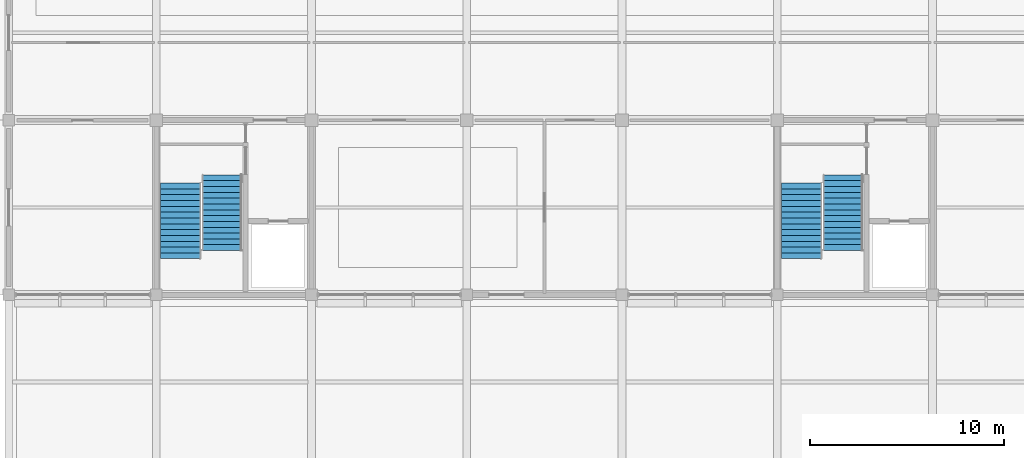
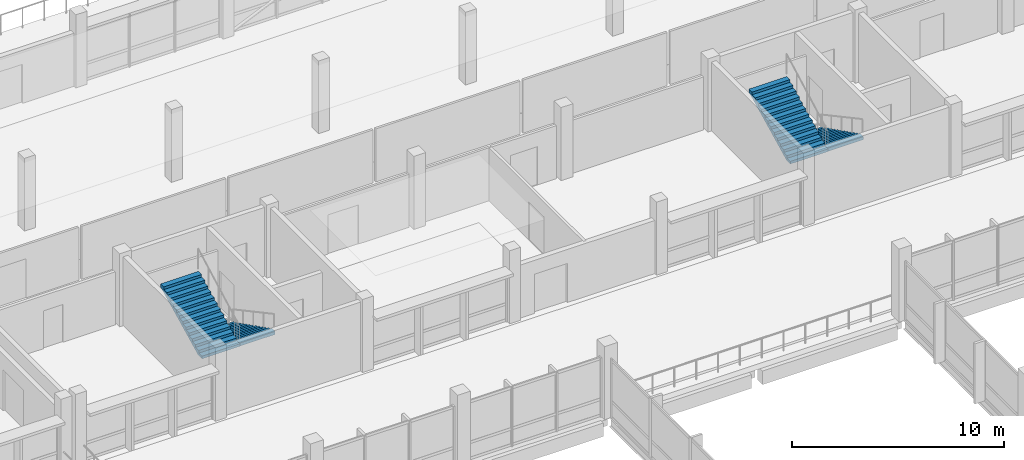
# One storey, part 64 of 70: 4 stair flights, 2 elements without a shape of their own.
"""IFC4 building model written with IfcOpenShell, lengths in metres."""

from ifc_helpers import new_model, si_unit, direction, frame, origin, place, context, subcontext, project, spatial, polyline, outline, extrude, material, type_object, element, aggregate, save


model = new_model("IFC4")

# Units and contexts
model_context = context("Model", 3, precision=1e-05, world=origin(), true_north=direction((0.0, 1.0)))
body_context = subcontext(model_context, "Body", "Model", "MODEL_VIEW")
ifc_project = project(units=[si_unit("LENGTHUNIT", "METRE"), si_unit("AREAUNIT", "SQUARE_METRE"), si_unit("VOLUMEUNIT", "CUBIC_METRE"), si_unit("PLANEANGLEUNIT", "RADIAN"), si_unit("MASSUNIT", "GRAM", prefix="KILO"), si_unit("THERMODYNAMICTEMPERATUREUNIT", "KELVIN"), si_unit("POWERUNIT", "WATT")], contexts=[model_context])

# Site, building, storey
site_placement = place(None, origin())
site = spatial("IfcSite", under=ifc_project, at=site_placement, CompositionType="ELEMENT")
building_placement = place(site_placement, origin())
building = spatial("IfcBuilding", under=site, at=building_placement, Name="Kronsvod Quay Wholesale Market", CompositionType="ELEMENT")
storey_placement = place(building_placement, frame((0.0, 0.0, 9.0)))
storey = spatial("IfcBuildingStorey", under=building, at=storey_placement, Name="L02", CompositionType="ELEMENT", Elevation=9.0)

# Stair, stair flights
ifc_material_1 = material(Name="Concrete C35/45", Category="concrete")
stair_type = type_object("IfcStairType", Name="Stair_CoreV5_28R", PredefinedType="HALF_TURN_STAIR", material=ifc_material_1)
stair_1_placement = place(storey_placement, origin())
stair_1 = element("IfcStair", 1, at=stair_1_placement, inside=storey, type_object=stair_type, Name="ST08-L02", PredefinedType="HALF_TURN_STAIR")
ifc_material_2 = material(Name="Concrete C35/45", Category="concrete")
stair_flight_type = type_object("IfcStairFlightType", Name="StairFlight_14R_160", PredefinedType="STRAIGHT", material=ifc_material_2)
stair_flight_1_placement = place(storey_placement, frame((75.409912109375, 105.179931640625, 0.0), z_axis=(0.0, 0.0, 1.0), x_axis=(0.0, -1.0, 0.0)))
stair_flight_1 = element("IfcStairFlight", 2, at=stair_flight_1_placement, type_object=stair_flight_type, Name="ST08-L02-F1", NumberOfRisers=14, NumberOfTreads=13, PredefinedType="STRAIGHT", RiserHeight=0.15, TreadLength=0.3, context=body_context, shape_type="SweptSolid", body=[
    extrude(outline(polyline([(0.0, 0.0), (0.0, 0.14990234375), (0.300048828125, 0.14990234375), (0.300048828125, 0.300048828125), (0.60009765625, 0.300048828125), (0.60009765625, 0.449951171875), (0.89990234375, 0.449951171875), (0.89990234375, 0.60009765625), (1.199951171875, 0.60009765625), (1.199951171875, 0.75), (1.5, 0.75), (1.5, 0.89990234375), (1.800048828125, 0.89990234375), (1.800048828125, 1.050048828125), (2.10009765625, 1.050048828125), (2.10009765625, 1.199951171875), (2.39990234375, 1.199951171875), (2.39990234375, 1.35009765625), (2.699951171875, 1.35009765625), (2.699951171875, 1.5), (3.0, 1.5), (3.0, 1.64990234375), (3.300048828125, 1.64990234375), (3.300048828125, 1.800048828125), (3.60009765625, 1.800048828125), (3.60009765625, 1.949951171875), (3.89990234375, 1.949951171875), (3.89990234375, 2.10009765625), (3.89990234375, 1.771240234375), (0.357666015625, 0.0), (0.0, 0.0)])), frame((0.0, 1.030029296875, 0.0), z_axis=(0.0, -1.0, 0.0), x_axis=(1.0, 0.0, 0.0)), (0.0, 0.0, 1.0), 2.06005859375),
])
stair_flight_2_placement = place(storey_placement, frame((73.25, 100.860107421875, 2.10009765625), z_axis=(0.0, 0.0, 1.0), x_axis=(0.0, 1.0, 0.0)))
stair_flight_2 = element("IfcStairFlight", 3, at=stair_flight_2_placement, type_object=stair_flight_type, Name="ST08-L02-F2", NumberOfRisers=14, NumberOfTreads=13, PredefinedType="STRAIGHT", RiserHeight=0.15, TreadLength=0.3, context=body_context, shape_type="SweptSolid", body=[
    extrude(outline(polyline([(0.0, 0.0), (0.0, 0.14990234375), (0.300048828125, 0.14990234375), (0.300048828125, 0.300048828125), (0.60009765625, 0.300048828125), (0.60009765625, 0.449951171875), (0.89990234375, 0.449951171875), (0.89990234375, 0.60009765625), (1.199951171875, 0.60009765625), (1.199951171875, 0.75), (1.5, 0.75), (1.5, 0.89990234375), (1.800048828125, 0.89990234375), (1.800048828125, 1.050048828125), (2.10009765625, 1.050048828125), (2.10009765625, 1.199951171875), (2.39990234375, 1.199951171875), (2.39990234375, 1.35009765625), (2.699951171875, 1.35009765625), (2.699951171875, 1.5), (3.0, 1.5), (3.0, 1.64990234375), (3.300048828125, 1.64990234375), (3.300048828125, 1.800048828125), (3.60009765625, 1.800048828125), (3.60009765625, 1.949951171875), (3.89990234375, 1.949951171875), (3.89990234375, 2.10009765625), (3.89990234375, 1.771240234375), (0.357666015625, 0.0), (0.0, 0.0)])), frame((0.0, 1.030029296875, 0.0), z_axis=(0.0, -1.0, 0.0), x_axis=(1.0, 0.0, 0.0)), (0.0, 0.0, 1.0), 2.06005859375),
])
aggregate(stair_1, [stair_flight_1, stair_flight_2])

stair_2_placement = place(storey_placement, origin())
stair_2 = element("IfcStair", 4, at=stair_2_placement, inside=storey, type_object=stair_type, Name="ST09-L02", PredefinedType="HALF_TURN_STAIR")
stair_flight_3_placement = place(storey_placement, frame((107.409912109375, 105.179931640625, 0.0), z_axis=(0.0, 0.0, 1.0), x_axis=(0.0, -1.0, 0.0)))
stair_flight_3 = element("IfcStairFlight", 5, at=stair_flight_3_placement, type_object=stair_flight_type, Name="ST09-L02-F1", NumberOfRisers=14, NumberOfTreads=13, PredefinedType="STRAIGHT", RiserHeight=0.15, TreadLength=0.3, context=body_context, shape_type="SweptSolid", body=[
    extrude(outline(polyline([(0.0, 0.0), (0.0, 0.14990234375), (0.300048828125, 0.14990234375), (0.300048828125, 0.300048828125), (0.60009765625, 0.300048828125), (0.60009765625, 0.449951171875), (0.89990234375, 0.449951171875), (0.89990234375, 0.60009765625), (1.199951171875, 0.60009765625), (1.199951171875, 0.75), (1.5, 0.75), (1.5, 0.89990234375), (1.800048828125, 0.89990234375), (1.800048828125, 1.050048828125), (2.10009765625, 1.050048828125), (2.10009765625, 1.199951171875), (2.39990234375, 1.199951171875), (2.39990234375, 1.35009765625), (2.699951171875, 1.35009765625), (2.699951171875, 1.5), (3.0, 1.5), (3.0, 1.64990234375), (3.300048828125, 1.64990234375), (3.300048828125, 1.800048828125), (3.60009765625, 1.800048828125), (3.60009765625, 1.949951171875), (3.89990234375, 1.949951171875), (3.89990234375, 2.10009765625), (3.89990234375, 1.771240234375), (0.357666015625, 0.0), (0.0, 0.0)])), frame((0.0, 1.030029296875, 0.0), z_axis=(0.0, -1.0, 0.0), x_axis=(1.0, 0.0, 0.0)), (0.0, 0.0, 1.0), 2.06005859375),
])
stair_flight_4_placement = place(storey_placement, frame((105.25, 100.860107421875, 2.10009765625), z_axis=(0.0, 0.0, 1.0), x_axis=(0.0, 1.0, 0.0)))
stair_flight_4 = element("IfcStairFlight", 6, at=stair_flight_4_placement, type_object=stair_flight_type, Name="ST09-L02-F2", NumberOfRisers=14, NumberOfTreads=13, PredefinedType="STRAIGHT", RiserHeight=0.15, TreadLength=0.3, context=body_context, shape_type="SweptSolid", body=[
    extrude(outline(polyline([(0.0, 0.0), (0.0, 0.14990234375), (0.300048828125, 0.14990234375), (0.300048828125, 0.300048828125), (0.60009765625, 0.300048828125), (0.60009765625, 0.449951171875), (0.89990234375, 0.449951171875), (0.89990234375, 0.60009765625), (1.199951171875, 0.60009765625), (1.199951171875, 0.75), (1.5, 0.75), (1.5, 0.89990234375), (1.800048828125, 0.89990234375), (1.800048828125, 1.050048828125), (2.10009765625, 1.050048828125), (2.10009765625, 1.199951171875), (2.39990234375, 1.199951171875), (2.39990234375, 1.35009765625), (2.699951171875, 1.35009765625), (2.699951171875, 1.5), (3.0, 1.5), (3.0, 1.64990234375), (3.300048828125, 1.64990234375), (3.300048828125, 1.800048828125), (3.60009765625, 1.800048828125), (3.60009765625, 1.949951171875), (3.89990234375, 1.949951171875), (3.89990234375, 2.10009765625), (3.89990234375, 1.771240234375), (0.357666015625, 0.0), (0.0, 0.0)])), frame((0.0, 1.030029296875, 0.0), z_axis=(0.0, -1.0, 0.0), x_axis=(1.0, 0.0, 0.0)), (0.0, 0.0, 1.0), 2.06005859375),
])
aggregate(stair_2, [stair_flight_3, stair_flight_4])

save(model, "model.ifc")
